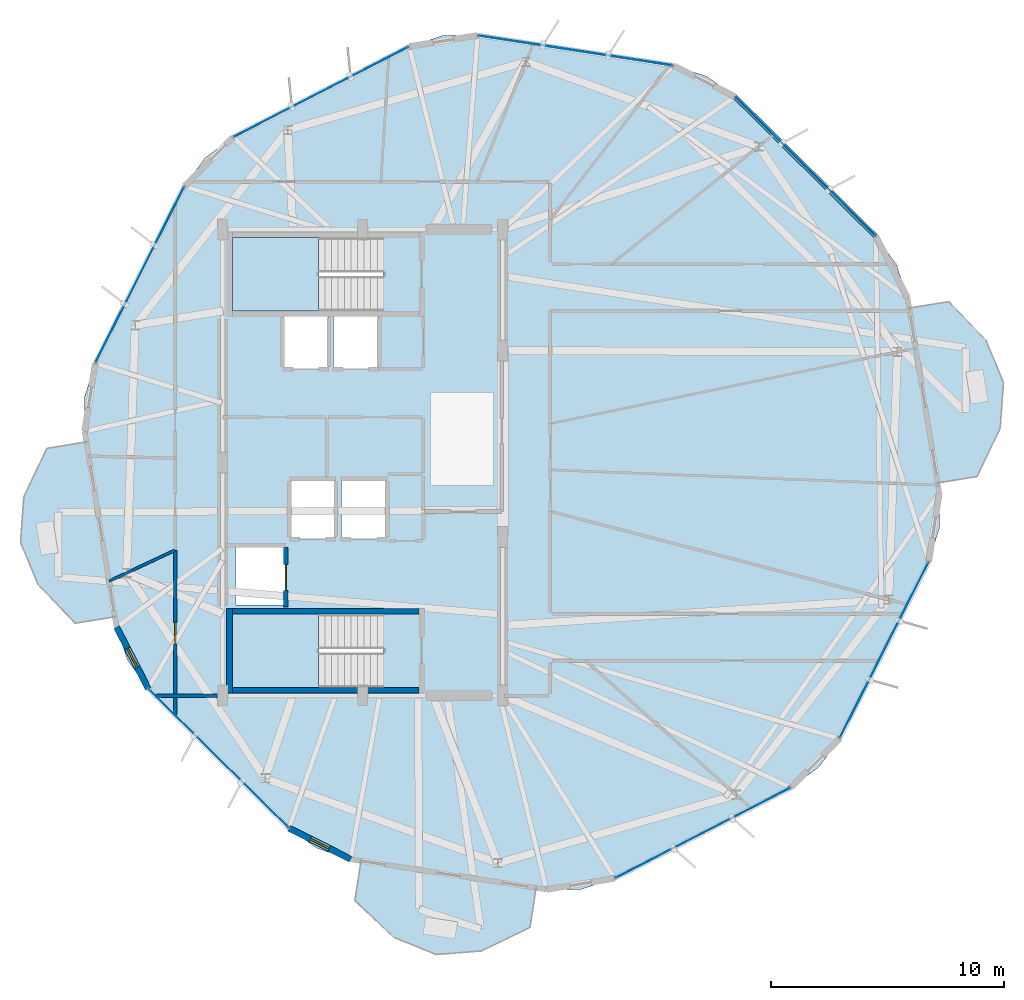
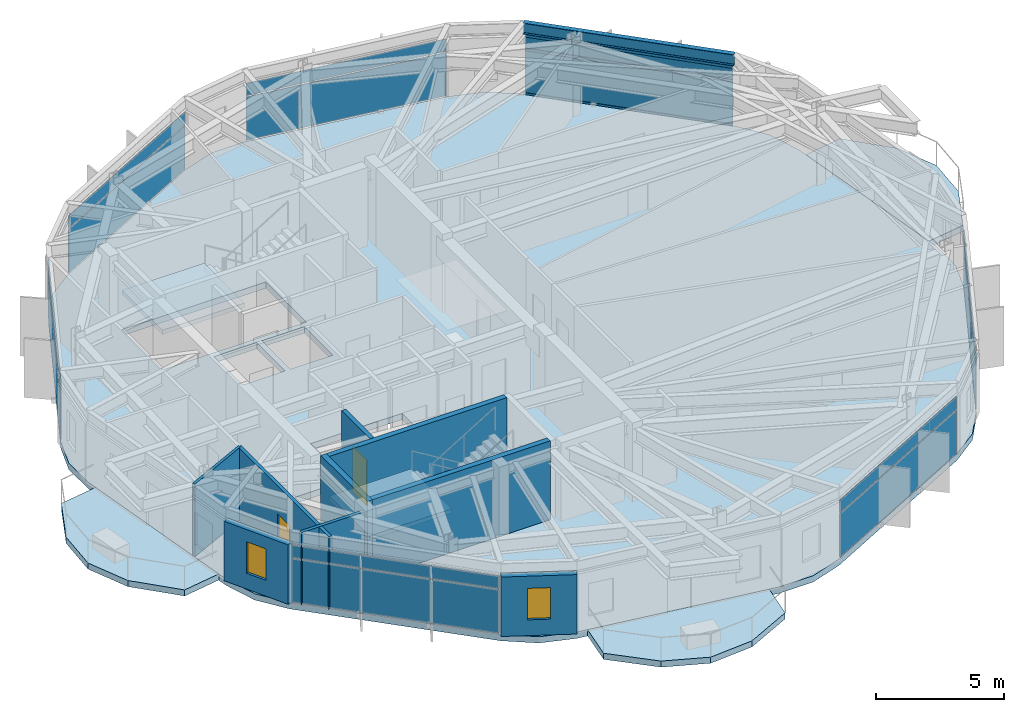
# One storey, part 16 of 22: 14 plates, 9 walls, 6 slabs, 3 members, 2 doors, 2 windows, 1 beam, 4 openings, 9 elements without a shape of their own.
"""IFC4 building model written with IfcOpenShell, lengths in metres."""

from ifc_helpers import new_model, si_unit, direction, frame, frame_2d, origin, origin_2d, place, context, subcontext, project, spatial, polyline, rectangle, hollow_rectangle, i_section, outline, extrude, material, layer, layer_set, material_profile, profile_set, type_object, element, fill, aggregate, save


model = new_model("IFC4")

# Units and contexts
model_context = context("Model", 3, precision=1e-05, world=origin(), true_north=direction((0.0, 1.0)))
body_context = subcontext(model_context, "Body", "Model", "MODEL_VIEW")
ifc_project = project(units=[si_unit("LENGTHUNIT", "METRE"), si_unit("AREAUNIT", "SQUARE_METRE"), si_unit("VOLUMEUNIT", "CUBIC_METRE"), si_unit("PLANEANGLEUNIT", "RADIAN"), si_unit("MASSUNIT", "GRAM", prefix="KILO")], contexts=[model_context])

# Site, building, storey
site_placement = place(None, origin())
site = spatial("IfcSite", under=ifc_project, at=site_placement, CompositionType="ELEMENT")
building_placement = place(site_placement, origin())
building = spatial("IfcBuilding", under=site, at=building_placement, Name="Soratama Intermodal Tower", CompositionType="ELEMENT")
storey_placement = place(building_placement, frame((0.0, 0.0, 265.0)))
storey = spatial("IfcBuildingStorey", under=building, at=storey_placement, Name="L67", CompositionType="ELEMENT", Elevation=265.0)

# Beam
ifc_material_1 = material(Name="Structural steel ASTM A992 Grade 50", Category="steel")
ifc_material_profile_1 = material_profile(ifc_material_1, i_section(OverallWidth=0.2099609375, OverallDepth=0.537109375, WebThickness=0.010986328125, FlangeThickness=0.017333984375, FilletRadius=0.012939453125, at=origin_2d()), Name="W21X68")
ifc_profile_set_1 = profile_set([ifc_material_profile_1], Name="Structural steel ASTM A992 Grade 50")
beam_type = type_object("IfcBeamType", Name="BM-SPN-W21X68", PredefinedType="SPANDREL", material=ifc_profile_set_1)
beam_placement = place(storey_placement, frame((60.60791015625, 34.702880859375, 3.181396484375), z_axis=(-0.710087532745, 0.704113411206, 0.0), x_axis=(-0.704113411206, -0.710087532745, 0.0)))
element("IfcBeam", 1, at=beam_placement, inside=storey, type_object=beam_type, Name="BS-L67-F10", PredefinedType="SPANDREL", context=body_context, shape_type="SweptSolid", body=[
    extrude(i_section(OverallWidth=0.2099609375, OverallDepth=0.537109375, WebThickness=0.010986328125, FlangeThickness=0.017333984375, FilletRadius=0.012939453125, at=origin_2d()), origin(), (0.0, 0.0, 1.0), 8.500244140625),
])

# Curtain wall, members
ifc_material_2 = material(Name="Double-glazed aluminium curtain wall", Category="aluminium")
ifc_layer_1 = layer(ifc_material_2, 0.159912109375)
ifc_layer_set_1 = layer_set([ifc_layer_1], Name="Double-glazed aluminium curtain wall")
curtain_wall_type = type_object("IfcCurtainWallType", Name="CW-SYS-5", PredefinedType="NOTDEFINED", material=ifc_layer_set_1)
curtain_wall_1_placement = place(storey_placement, origin())
curtain_wall_1 = element("IfcCurtainWall", 2, at=curtain_wall_1_placement, inside=storey, type_object=curtain_wall_type, Name="L67 Faceted Curtain Wall F10", PredefinedType="NOTDEFINED")
ifc_material_3 = material(Name="Anodised aluminium AA 6063-T6", Category="aluminium")
ifc_material_profile_2 = material_profile(ifc_material_3, hollow_rectangle(XDim=0.06005859375, YDim=0.1298828125, WallThickness=0.0048828125, InnerFilletRadius=0.0048828125, OuterFilletRadius=0.010009765625, at=origin_2d()), Name="CWT130X60X5")
ifc_profile_set_2 = profile_set([ifc_material_profile_2], Name="Anodised aluminium AA 6063-T6")
member_type = type_object("IfcMemberType", Name="TT-CWT-2", PredefinedType="USERDEFINED", material=ifc_profile_set_2)
member_1_placement = place(storey_placement, frame((60.56494140625, 34.74560546875, 0.030029296875), z_axis=(-0.710072281656, 0.704128791361, 0.0), x_axis=(-0.704128791361, -0.710072281656, 0.0)))
member_1 = element("IfcMember", 3, at=member_1_placement, type_object=member_type, Name="CW-5 transom 1.1", ObjectType="TRANSOM", PredefinedType="USERDEFINED", context=body_context, shape_type="SweptSolid", body=[
    extrude(hollow_rectangle(XDim=0.06005859375, YDim=0.1298828125, WallThickness=0.0048828125, InnerFilletRadius=0.0048828125, OuterFilletRadius=0.010009765625, at=origin_2d()), origin(), (0.0, 0.0, 1.0), 8.379638671875),
])
member_2_placement = place(storey_placement, frame((60.56494140625, 34.74560546875, 2.14990234375), z_axis=(-0.710072281656, 0.704128791361, 0.0), x_axis=(-0.704128791361, -0.710072281656, 0.0)))
member_2 = element("IfcMember", 4, at=member_2_placement, type_object=member_type, Name="CW-5 transom 1.2", ObjectType="TRANSOM", PredefinedType="USERDEFINED", context=body_context, shape_type="SweptSolid", body=[
    extrude(hollow_rectangle(XDim=0.06005859375, YDim=0.1298828125, WallThickness=0.0048828125, InnerFilletRadius=0.0048828125, OuterFilletRadius=0.010009765625, at=origin_2d()), origin(), (0.0, 0.0, 1.0), 8.379638671875),
])
member_3_placement = place(storey_placement, frame((60.56494140625, 34.74560546875, 2.799072265625), z_axis=(-0.710072281656, 0.704128791361, 0.0), x_axis=(-0.704128791361, -0.710072281656, 0.0)))
member_3 = element("IfcMember", 5, at=member_3_placement, type_object=member_type, Name="CW-5 transom 1.3", ObjectType="TRANSOM", PredefinedType="USERDEFINED", context=body_context, shape_type="SweptSolid", body=[
    extrude(hollow_rectangle(XDim=0.06005859375, YDim=0.1298828125, WallThickness=0.0048828125, InnerFilletRadius=0.0048828125, OuterFilletRadius=0.010009765625, at=origin_2d()), origin(), (0.0, 0.0, 1.0), 8.379638671875),
])

# Curtain wall, plates
curtain_wall_2_placement = place(storey_placement, origin())
curtain_wall_2 = element("IfcCurtainWall", 6, at=curtain_wall_2_placement, inside=storey, type_object=curtain_wall_type, Name="L67 Faceted Curtain Wall F01", PredefinedType="NOTDEFINED")
ifc_material_4 = material(Name="Low-E laminated double glazing", Category="glass")
ifc_layer_2 = layer(ifc_material_4, 0.02001953125)
ifc_layer_set_2 = layer_set([ifc_layer_2], Name="Low-E laminated double glazing")
plate_type = type_object("IfcPlateType", Name="PT-CWP-5", PredefinedType="CURTAIN_PANEL", material=ifc_layer_set_2)
plate_1_placement = place(storey_placement, frame((47.72314453125, 42.671142578125, 0.06005859375), z_axis=(0.0, 0.0, 1.0), x_axis=(-0.988334809762, 0.152296762317, 0.0)))
plate_1 = element("IfcPlate", 7, at=plate_1_placement, type_object=plate_type, Name="CW-5 panel 1.1", PredefinedType="CURTAIN_PANEL", context=body_context, shape_type="SweptSolid", body=[
    extrude(rectangle(XDim=8.3798828125, YDim=0.028076171875, at=origin_2d()), origin(), (0.0, 0.0, 1.0), 2.06005859375),
])
plate_2_placement = place(storey_placement, frame((47.72314453125, 42.671142578125, 2.18017578125), z_axis=(0.0, 0.0, 1.0), x_axis=(-0.988334809762, 0.152296762317, 0.0)))
plate_2 = element("IfcPlate", 8, at=plate_2_placement, type_object=plate_type, Name="CW-5 panel 1.2", PredefinedType="CURTAIN_PANEL", context=body_context, shape_type="SweptSolid", body=[
    extrude(rectangle(XDim=8.3798828125, YDim=0.028076171875, at=origin_2d()), origin(), (0.0, 0.0, 1.0), 0.589111328125),
])
aggregate(curtain_wall_2, [plate_1, plate_2])

curtain_wall_3_placement = place(storey_placement, origin())
curtain_wall_3 = element("IfcCurtainWall", 9, at=curtain_wall_3_placement, inside=storey, type_object=curtain_wall_type, Name="L67 Faceted Curtain Wall F02", PredefinedType="NOTDEFINED")
plate_3_placement = place(storey_placement, frame((36.816162109375, 40.89697265625, 0.06005859375), z_axis=(0.0, 0.0, 1.0), x_axis=(-0.889096734461, -0.457719342796, 0.0)))
plate_3 = element("IfcPlate", 10, at=plate_3_placement, type_object=plate_type, Name="CW-5 panel 1.1", PredefinedType="CURTAIN_PANEL", context=body_context, shape_type="SweptSolid", body=[
    extrude(rectangle(XDim=8.379638671875, YDim=0.028076171875, at=origin_2d()), origin(), (0.0, 0.0, 1.0), 2.06005859375),
])
plate_4_placement = place(storey_placement, frame((36.816162109375, 40.89697265625, 2.18017578125), z_axis=(0.0, 0.0, 1.0), x_axis=(-0.889096734461, -0.457719342796, 0.0)))
plate_4 = element("IfcPlate", 11, at=plate_4_placement, type_object=plate_type, Name="CW-5 panel 1.2", PredefinedType="CURTAIN_PANEL", context=body_context, shape_type="SweptSolid", body=[
    extrude(rectangle(XDim=8.379638671875, YDim=0.028076171875, at=origin_2d()), origin(), (0.0, 0.0, 1.0), 0.589111328125),
])
aggregate(curtain_wall_3, [plate_3, plate_4])

curtain_wall_4_placement = place(storey_placement, origin())
curtain_wall_4 = element("IfcCurtainWall", 12, at=curtain_wall_4_placement, inside=storey, type_object=curtain_wall_type, Name="L67 Faceted Curtain Wall F03", PredefinedType="NOTDEFINED")
plate_5_placement = place(storey_placement, frame((29.03515625, 33.050537109375, 0.06005859375), z_axis=(0.0, 0.0, 1.0), x_axis=(-0.450255769064, -0.892899626176, 0.0)))
plate_5 = element("IfcPlate", 13, at=plate_5_placement, type_object=plate_type, Name="CW-5 panel 1.1", PredefinedType="CURTAIN_PANEL", context=body_context, shape_type="SweptSolid", body=[
    extrude(rectangle(XDim=8.3798828125, YDim=0.028076171875, at=origin_2d()), origin(), (0.0, 0.0, 1.0), 2.06005859375),
])
plate_6_placement = place(storey_placement, frame((29.03515625, 33.050537109375, 2.18017578125), z_axis=(0.0, 0.0, 1.0), x_axis=(-0.450255769064, -0.892899626176, 0.0)))
plate_6 = element("IfcPlate", 14, at=plate_6_placement, type_object=plate_type, Name="CW-5 panel 1.2", PredefinedType="CURTAIN_PANEL", context=body_context, shape_type="SweptSolid", body=[
    extrude(rectangle(XDim=8.3798828125, YDim=0.028076171875, at=origin_2d()), origin(), (0.0, 0.0, 1.0), 0.589111328125),
])
aggregate(curtain_wall_4, [plate_5, plate_6])

curtain_wall_5_placement = place(storey_placement, origin())
curtain_wall_5 = element("IfcCurtainWall", 15, at=curtain_wall_5_placement, inside=storey, type_object=curtain_wall_type, Name="L67 Faceted Curtain Wall F05", PredefinedType="NOTDEFINED")
plate_7_placement = place(storey_placement, frame((32.41015625, 12.30419921875, 0.06005859375), z_axis=(0.0, 0.0, 1.0), x_axis=(0.710065347989, -0.704135783486, 0.0)))
plate_7 = element("IfcPlate", 16, at=plate_7_placement, type_object=plate_type, Name="CW-5 panel 1.1", PredefinedType="CURTAIN_PANEL", context=body_context, shape_type="SweptSolid", body=[
    extrude(rectangle(XDim=8.3798828125, YDim=0.028076171875, at=origin_2d()), origin(), (0.0, 0.0, 1.0), 2.06005859375),
])
plate_8_placement = place(storey_placement, frame((32.41015625, 12.30419921875, 2.18017578125), z_axis=(0.0, 0.0, 1.0), x_axis=(0.710065347989, -0.704135783486, 0.0)))
plate_8 = element("IfcPlate", 17, at=plate_8_placement, type_object=plate_type, Name="CW-5 panel 1.2", PredefinedType="CURTAIN_PANEL", context=body_context, shape_type="SweptSolid", body=[
    extrude(rectangle(XDim=8.3798828125, YDim=0.028076171875, at=origin_2d()), origin(), (0.0, 0.0, 1.0), 0.589111328125),
])
aggregate(curtain_wall_5, [plate_7, plate_8])

curtain_wall_6_placement = place(storey_placement, origin())
curtain_wall_6 = element("IfcCurtainWall", 18, at=curtain_wall_6_placement, inside=storey, type_object=curtain_wall_type, Name="L67 Faceted Curtain Wall F07", PredefinedType="NOTDEFINED")
plate_9_placement = place(storey_placement, frame((53.183837890625, 9.10302734375, 0.06005859375), z_axis=(0.0, 0.0, 1.0), x_axis=(0.889096734461, 0.457719342796, 0.0)))
plate_9 = element("IfcPlate", 19, at=plate_9_placement, type_object=plate_type, Name="CW-5 panel 1.1", PredefinedType="CURTAIN_PANEL", context=body_context, shape_type="SweptSolid", body=[
    extrude(rectangle(XDim=8.379638671875, YDim=0.028076171875, at=origin_2d()), origin(), (0.0, 0.0, 1.0), 2.06005859375),
])
plate_10_placement = place(storey_placement, frame((53.183837890625, 9.10302734375, 2.18017578125), z_axis=(0.0, 0.0, 1.0), x_axis=(0.889096734461, 0.457719342796, 0.0)))
plate_10 = element("IfcPlate", 20, at=plate_10_placement, type_object=plate_type, Name="CW-5 panel 1.2", PredefinedType="CURTAIN_PANEL", context=body_context, shape_type="SweptSolid", body=[
    extrude(rectangle(XDim=8.379638671875, YDim=0.028076171875, at=origin_2d()), origin(), (0.0, 0.0, 1.0), 0.589111328125),
])
aggregate(curtain_wall_6, [plate_9, plate_10])

curtain_wall_7_placement = place(storey_placement, origin())
curtain_wall_7 = element("IfcCurtainWall", 21, at=curtain_wall_7_placement, inside=storey, type_object=curtain_wall_type, Name="L67 Faceted Curtain Wall F08", PredefinedType="NOTDEFINED")
plate_11_placement = place(storey_placement, frame((60.96484375, 16.949462890625, 0.06005859375), z_axis=(0.0, 0.0, 1.0), x_axis=(0.450255769064, 0.892899626176, 0.0)))
plate_11 = element("IfcPlate", 22, at=plate_11_placement, type_object=plate_type, Name="CW-5 panel 1.1", PredefinedType="CURTAIN_PANEL", context=body_context, shape_type="SweptSolid", body=[
    extrude(rectangle(XDim=8.3798828125, YDim=0.028076171875, at=origin_2d()), origin(), (0.0, 0.0, 1.0), 2.06005859375),
])
plate_12_placement = place(storey_placement, frame((60.96484375, 16.949462890625, 2.18017578125), z_axis=(0.0, 0.0, 1.0), x_axis=(0.450255769064, 0.892899626176, 0.0)))
plate_12 = element("IfcPlate", 23, at=plate_12_placement, type_object=plate_type, Name="CW-5 panel 1.2", PredefinedType="CURTAIN_PANEL", context=body_context, shape_type="SweptSolid", body=[
    extrude(rectangle(XDim=8.3798828125, YDim=0.028076171875, at=origin_2d()), origin(), (0.0, 0.0, 1.0), 0.589111328125),
])
aggregate(curtain_wall_7, [plate_11, plate_12])

# Plate
plate_13_placement = place(storey_placement, frame((57.58984375, 37.69580078125, 0.06005859375), z_axis=(0.0, 0.0, 1.0), x_axis=(-0.710065347989, 0.704135783486, 0.0)))
plate_13 = element("IfcPlate", 24, at=plate_13_placement, type_object=plate_type, Name="CW-5 panel 1.1", PredefinedType="CURTAIN_PANEL", context=body_context, shape_type="SweptSolid", body=[
    extrude(rectangle(XDim=8.3798828125, YDim=0.028076171875, at=origin_2d()), origin(), (0.0, 0.0, 1.0), 2.06005859375),
])

plate_14_placement = place(storey_placement, frame((57.58984375, 37.69580078125, 2.18017578125), z_axis=(0.0, 0.0, 1.0), x_axis=(-0.710065347989, 0.704135783486, 0.0)))
plate_14 = element("IfcPlate", 25, at=plate_14_placement, type_object=plate_type, Name="CW-5 panel 1.2", PredefinedType="CURTAIN_PANEL", context=body_context, shape_type="SweptSolid", body=[
    extrude(rectangle(XDim=8.3798828125, YDim=0.028076171875, at=origin_2d()), origin(), (0.0, 0.0, 1.0), 0.589111328125),
])

aggregate(curtain_wall_1, [member_1, member_2, member_3, plate_13, plate_14])

# Slabs
ifc_material_5 = material(Name="Concrete f'c 42 MPa", Category="concrete")
ifc_layer_3 = layer(ifc_material_5, 0.2900390625)
ifc_layer_set_3 = layer_set([ifc_layer_3], Name="Concrete f'c 42 MPa")
slab_type_1 = type_object("IfcSlabType", Name="SL-EXT-BAL2", PredefinedType="FLOOR", material=ifc_layer_set_3)
slab_1_placement = place(storey_placement, frame((0.0, 0.0, -0.2900390625)))
element("IfcSlab", 26, at=slab_1_placement, inside=storey, type_object=slab_type_1, Name="L67 Planted Balcony East 1", PredefinedType="FLOOR", context=body_context, shape_type="SweptSolid", body=[
    extrude(outline(polyline([(63.258056640625, 24.120361328125), (62.037841796875, 31.62158203125), (63.7353515625, 31.897705078125), (65.33447265625, 30.23291015625), (66.082763671875, 28.4296875), (65.944580078125, 26.482421875), (64.955810546875, 24.396484375), (63.258056640625, 24.120361328125)])), origin(), (0.0, 0.0, 1.0), 0.2900390625),
])
slab_2_placement = place(storey_placement, frame((0.0, 0.0, -0.2900390625)))
element("IfcSlab", 27, at=slab_2_placement, inside=storey, type_object=slab_type_1, Name="L67 Planted Balcony West 2", PredefinedType="FLOOR", context=body_context, shape_type="SweptSolid", body=[
    extrude(outline(polyline([(26.741943359375, 25.879638671875), (27.962158203125, 18.37841796875), (26.2646484375, 18.102294921875), (24.66552734375, 19.76708984375), (23.917236328125, 21.5703125), (24.055419921875, 23.517578125), (25.044189453125, 25.603515625), (26.741943359375, 25.879638671875)])), origin(), (0.0, 0.0, 1.0), 0.2900390625),
])
slab_3_placement = place(storey_placement, frame((0.0, 0.0, -0.2900390625)))
element("IfcSlab", 28, at=slab_3_placement, inside=storey, type_object=slab_type_1, Name="L67 Planted Balcony South 3", PredefinedType="FLOOR", context=body_context, shape_type="SweptSolid", body=[
    extrude(outline(polyline([(38.521484375, 7.907470703125), (46.032470703125, 6.75), (45.7705078125, 5.050048828125), (43.693115234375, 4.043701171875), (41.7470703125, 3.889404296875), (39.9375, 4.62255859375), (38.259521484375, 6.20751953125), (38.521484375, 7.907470703125)])), origin(), (0.0, 0.0, 1.0), 0.2900390625),
])

# Stair, slab
ifc_material_6 = material(Name="Concrete f'c 42 MPa", Category="concrete")
stair_type = type_object("IfcStairType", Name="ST-CORE-DOGLEG", PredefinedType="HALF_TURN_STAIR", material=ifc_material_6)
stair_1_placement = place(storey_placement, origin())
stair_1 = element("IfcStair", 29, at=stair_1_placement, inside=storey, type_object=stair_type, Name="L67 ST-1", PredefinedType="HALF_TURN_STAIR")
ifc_material_7 = material(Name="Concrete f'c 42 MPa", Category="concrete")
ifc_layer_4 = layer(ifc_material_7, 0.219970703125)
ifc_layer_set_4 = layer_set([ifc_layer_4], Name="Concrete f'c 42 MPa")
slab_type_2 = type_object("IfcSlabType", Name="SL-STAIR-LAND", PredefinedType="LANDING", material=ifc_layer_set_4)
slab_4_placement = place(storey_placement, frame((0.0, 0.0, 1.675048828125)))
slab_4 = element("IfcSlab", 30, at=slab_4_placement, type_object=slab_type_2, Name="ST-1 landing 1", PredefinedType="LANDING", context=body_context, shape_type="SweptSolid", body=[
    extrude(outline(polyline([(36.699951171875, 18.5), (33.0, 18.5), (33.0, 15.35009765625), (36.699951171875, 15.35009765625), (36.699951171875, 18.5)])), origin(), (0.0, 0.0, 1.0), 0.199951171875),
])
aggregate(stair_1, [slab_4])

stair_2_placement = place(storey_placement, origin())
stair_2 = element("IfcStair", 31, at=stair_2_placement, inside=storey, type_object=stair_type, Name="L67 ST-2", PredefinedType="HALF_TURN_STAIR")
slab_5_placement = place(storey_placement, frame((0.0, 0.0, 1.675048828125)))
slab_5 = element("IfcSlab", 32, at=slab_5_placement, type_object=slab_type_2, Name="ST-2 landing 1", PredefinedType="LANDING", context=body_context, shape_type="SweptSolid", body=[
    extrude(outline(polyline([(36.699951171875, 34.64990234375), (33.0, 34.64990234375), (33.0, 31.5), (36.699951171875, 31.5), (36.699951171875, 34.64990234375)])), origin(), (0.0, 0.0, 1.0), 0.199951171875),
])
aggregate(stair_2, [slab_5])

# Slab
ifc_material_8 = material(Name="Concrete f'c 42 MPa", Category="concrete")
ifc_layer_5 = layer(ifc_material_8, 0.280029296875)
ifc_layer_set_5 = layer_set([ifc_layer_5], Name="Concrete f'c 42 MPa")
slab_type_3 = type_object("IfcSlabType", Name="SL-TWR-280", PredefinedType="FLOOR", material=ifc_layer_set_5)
slab_6_placement = place(storey_placement, frame((0.0, 0.0, -0.300048828125)))
element("IfcSlab", 33, at=slab_6_placement, inside=storey, type_object=slab_type_3, Name="L67 Structural Floor Slab", PredefinedType="FLOOR", context=body_context, shape_type="SweptSolid", body=[
    extrude(outline(polyline([(54.572265625, 40.688232421875), (53.353515625, 41.56591796875), (51.92333984375, 42.02392578125), (43.522705078125, 43.318603515625), (42.02099609375, 43.312255859375), (40.594482421875, 42.84228515625), (33.03759765625, 38.95166015625), (31.826171875, 38.06396484375), (30.948486328125, 36.84521484375), (27.12158203125, 29.255615234375), (26.663330078125, 27.825439453125), (26.669677734375, 26.32373046875), (28.034423828125, 17.934326171875), (28.504638671875, 16.508056640625), (29.392333984375, 15.296630859375), (35.427734375, 9.311767578125), (36.646484375, 8.43408203125), (38.07666015625, 7.97607421875), (46.477294921875, 6.681396484375), (47.97900390625, 6.687744140625), (49.405517578125, 7.15771484375), (56.96240234375, 11.04833984375), (58.173828125, 11.93603515625), (59.051513671875, 13.15478515625), (62.87841796875, 20.744384765625), (63.336669921875, 22.174560546875), (63.330322265625, 23.67626953125), (61.965576171875, 32.065673828125), (61.495361328125, 33.491943359375), (60.607666015625, 34.703369140625), (54.572265625, 40.688232421875)]), holes=[polyline([(33.0, 15.35009765625), (39.47509765625, 15.35009765625), (39.47509765625, 18.5), (33.0, 18.5), (33.0, 15.35009765625)]), polyline([(35.260009765625, 21.409912109375), (33.139892578125, 21.409912109375), (33.139892578125, 18.889892578125), (35.260009765625, 18.889892578125), (35.260009765625, 21.409912109375)]), polyline([(37.409912109375, 24.260009765625), (35.489990234375, 24.260009765625), (35.489990234375, 21.739990234375), (37.409912109375, 21.739990234375), (37.409912109375, 24.260009765625)]), polyline([(39.610107421875, 24.260009765625), (37.68994140625, 24.260009765625), (37.68994140625, 21.739990234375), (39.610107421875, 21.739990234375), (39.610107421875, 24.260009765625)]), polyline([(37.110107421875, 31.260009765625), (35.18994140625, 31.260009765625), (35.18994140625, 29.0400390625), (37.110107421875, 29.0400390625), (37.110107421875, 31.260009765625)]), polyline([(39.260009765625, 31.260009765625), (37.340087890625, 31.260009765625), (37.340087890625, 29.0400390625), (39.260009765625, 29.0400390625), (39.260009765625, 31.260009765625)]), polyline([(33.0, 34.64990234375), (33.0, 31.5), (39.47509765625, 31.5), (39.47509765625, 34.64990234375), (33.0, 34.64990234375)])]), origin(), (0.0, 0.0, 1.0), 0.300048828125),
])

# Wall, opening, window
ifc_material_9 = material(Name="Concrete f'c 42 MPa", Category="concrete")
ifc_layer_6 = layer(ifc_material_9, 0.27001953125)
ifc_layer_set_6 = layer_set([ifc_layer_6], Name="Concrete f'c 42 MPa")
wall_type_1 = type_object("IfcWallType", Name="EW-CRN-270", PredefinedType="SOLIDWALL", material=ifc_layer_set_6)
wall_1_placement = place(storey_placement, frame((28.034423828125, 17.934326171875, 0.0), z_axis=(0.0, 0.0, 1.0), x_axis=(0.457716142293, -0.889098382118, 0.0)))
wall_1 = element("IfcWall", 34, at=wall_1_placement, inside=storey, type_object=wall_type_1, Name="L67 Corner Closure Wall 04", PredefinedType="SOLIDWALL", context=body_context, shape_type="SweptSolid", body=[
    extrude(rectangle(XDim=2.966796875, YDim=0.27001953125, at=frame_2d((1.4833984375, 0.0))), origin(), (0.0, 0.0, 1.0), 2.8291015625),
])
opening_1_placement = place(wall_1_placement, frame((1.033203125, 0.0, 0.75)))
opening_1 = element("IfcOpeningElement", 35, at=opening_1_placement, cuts=wall_1, Name="Opening WN-6", PredefinedType="OPENING", context=body_context, shape_type="SweptSolid", body=[
    extrude(rectangle(XDim=0.89990234375, YDim=1.5, at=frame_2d((0.449951171875, 0.75))), frame((0.0, 0.14501953125, 0.0), z_axis=(0.0, -1.0, 0.0), x_axis=(1.0, 0.0, 0.0)), (0.0, 0.0, 1.0), 0.2900390625),
])
ifc_material_10 = material(Name="Double-glazed aluminium window", Category="aluminium")
window_type = type_object("IfcWindowType", Name="WN-FAC-900", PartitioningType="SINGLE_PANEL", PredefinedType="WINDOW", material=ifc_material_10)
window_1_placement = place(opening_1_placement, origin())
window_1 = element("IfcWindow", 36, at=window_1_placement, inside=storey, type_object=window_type, Name="L67 Corner Window 04", OverallHeight=1.5, OverallWidth=0.89990234375, PartitioningType="SINGLE_PANEL", PredefinedType="WINDOW", context=body_context, shape_type="SweptSolid", body=[
    extrude(rectangle(XDim=0.89990234375, YDim=1.5, at=frame_2d((0.449951171875, 0.75))), frame((0.0, 0.030029296875, 0.0), z_axis=(0.0, -1.0, 0.0), x_axis=(1.0, 0.0, 0.0)), (0.0, 0.0, 1.0), 0.06005859375),
])
fill(opening_1, window_1)

wall_2_placement = place(storey_placement, frame((35.427734375, 9.311767578125, 0.0), z_axis=(0.0, 0.0, 1.0), x_axis=(0.892907823858, -0.450239511919, 0.0)))
wall_2 = element("IfcWall", 37, at=wall_2_placement, inside=storey, type_object=wall_type_1, Name="L67 Corner Closure Wall 05", PredefinedType="SOLIDWALL", context=body_context, shape_type="SweptSolid", body=[
    extrude(rectangle(XDim=2.966552734375, YDim=0.27001953125, at=frame_2d((1.4833984375, 0.0))), origin(), (0.0, 0.0, 1.0), 2.8291015625),
])
opening_2_placement = place(wall_2_placement, frame((1.033203125, 0.0, 0.75)))
opening_2 = element("IfcOpeningElement", 38, at=opening_2_placement, cuts=wall_2, Name="Opening WN-6", PredefinedType="OPENING", context=body_context, shape_type="SweptSolid", body=[
    extrude(rectangle(XDim=0.89990234375, YDim=1.5, at=frame_2d((0.449951171875, 0.75))), frame((0.0, 0.14501953125, 0.0), z_axis=(0.0, -1.0, 0.0), x_axis=(1.0, 0.0, 0.0)), (0.0, 0.0, 1.0), 0.2900390625),
])
window_2_placement = place(opening_2_placement, origin())
window_2 = element("IfcWindow", 39, at=window_2_placement, inside=storey, type_object=window_type, Name="L67 Corner Window 05", OverallHeight=1.5, OverallWidth=0.89990234375, PartitioningType="SINGLE_PANEL", PredefinedType="WINDOW", context=body_context, shape_type="SweptSolid", body=[
    extrude(rectangle(XDim=0.89990234375, YDim=1.5, at=frame_2d((0.449951171875, 0.75))), frame((0.0, 0.030029296875, 0.0), z_axis=(0.0, -1.0, 0.0), x_axis=(1.0, 0.0, 0.0)), (0.0, 0.0, 1.0), 0.06005859375),
])
fill(opening_2, window_2)

# Wall, opening, door
ifc_material_11 = material(Name="Fire-rated gypsum stud partition", Category="concrete")
ifc_layer_7 = layer(ifc_material_11, 0.14990234375)
ifc_layer_set_7 = layer_set([ifc_layer_7], Name="Fire-rated gypsum stud partition")
wall_type_2 = type_object("IfcWallType", Name="IW-PART-R150", PredefinedType="PARTITIONING", material=ifc_layer_set_7)
wall_3_placement = place(storey_placement, frame((30.550048828125, 14.14892578125, 0.0), z_axis=(0.0, 0.0, 1.0), x_axis=(0.0, 1.0, 0.0)))
wall_3 = element("IfcWall", 40, at=wall_3_placement, inside=storey, type_object=wall_type_2, Name="L67 Partition W-L67-TP013", PredefinedType="PARTITIONING", context=body_context, shape_type="SweptSolid", body=[
    extrude(rectangle(XDim=7.0849609375, YDim=0.14990234375, at=frame_2d((3.54248046875, 0.0))), origin(), (0.0, 0.0, 1.0), 3.449951171875),
])
opening_3_placement = place(wall_3_placement, frame((3.068115234375, 0.0, 0.0)))
opening_3 = element("IfcOpeningElement", 41, at=opening_3_placement, cuts=wall_3, Name="Opening ID-6", PredefinedType="OPENING", context=body_context, shape_type="SweptSolid", body=[
    extrude(rectangle(XDim=0.919921875, YDim=2.1201171875, at=frame_2d((0.4599609375, 1.06005859375))), frame((0.0, 0.0849609375, 0.0), z_axis=(0.0, -1.0, 0.0), x_axis=(1.0, 0.0, 0.0)), (0.0, 0.0, 1.0), 0.169921875),
])
ifc_material_12 = material(Name="Solid hardwood acoustic door", Category="wood")
door_type_1 = type_object("IfcDoorType", Name="DR-ROOM-920", OperationType="NOTDEFINED", PredefinedType="DOOR", material=ifc_material_12)
door_1_placement = place(opening_3_placement, origin())
door_1 = element("IfcDoor", 42, at=door_1_placement, inside=storey, type_object=door_type_1, Name="L67 Door D-L67-TP007", OperationType="SINGLE_SWING_RIGHT", OverallHeight=2.1201171875, OverallWidth=0.919921875, PredefinedType="DOOR", context=body_context, shape_type="SweptSolid", body=[
    extrude(rectangle(XDim=0.919921875, YDim=2.1201171875, at=frame_2d((0.4599609375, 1.06005859375))), frame((0.0, 0.02490234375, 0.0), z_axis=(0.0, -1.0, 0.0), x_axis=(1.0, 0.0, 0.0)), (0.0, 0.0, 1.0), 0.050048828125),
])
fill(opening_3, door_1)

# Walls
wall_4_placement = place(storey_placement, frame((32.530029296875, 15.0, 0.0), z_axis=(0.0, 0.0, 1.0), x_axis=(-1.0, 0.0, 0.0)))
element("IfcWall", 43, at=wall_4_placement, inside=storey, type_object=wall_type_2, Name="L67 Partition W-L67-TP027", PredefinedType="PARTITIONING", context=body_context, shape_type="SweptSolid", body=[
    extrude(rectangle(XDim=2.838134765625, YDim=0.14990234375, at=frame_2d((1.4189453125, 0.0))), origin(), (0.0, 0.0, 1.0), 3.449951171875),
])
ifc_material_13 = material(Name="Fire-rated gypsum stud partition", Category="concrete")
ifc_layer_8 = layer(ifc_material_13, 0.1201171875)
ifc_layer_set_8 = layer_set([ifc_layer_8], Name="Fire-rated gypsum stud partition")
wall_type_3 = type_object("IfcWallType", Name="IW-PART-S120", PredefinedType="PARTITIONING", material=ifc_layer_set_8)
wall_5_placement = place(storey_placement, frame((30.550048828125, 21.23388671875, 0.0), z_axis=(0.0, 0.0, 1.0), x_axis=(-0.905758374269, -0.423794487272, 0.0)))
element("IfcWall", 44, at=wall_5_placement, inside=storey, type_object=wall_type_3, Name="L67 Partition W-L67-TP025", PredefinedType="PARTITIONING", context=body_context, shape_type="SweptSolid", body=[
    extrude(rectangle(XDim=3.131103515625, YDim=0.1201171875, at=frame_2d((1.5654296875, 0.0))), origin(), (0.0, 0.0, 1.0), 3.449951171875),
])

# Wall, opening, door
ifc_material_14 = material(Name="Concrete f'c 42 MPa", Category="concrete")
ifc_layer_9 = layer(ifc_material_14, 0.18505859375)
ifc_layer_set_9 = layer_set([ifc_layer_9], Name="Concrete f'c 42 MPa")
wall_type_4 = type_object("IfcWallType", Name="IW-SHAFT-185", PredefinedType="SOLIDWALL", material=ifc_layer_set_9)
wall_6_placement = place(storey_placement, frame((35.300048828125, 18.7900390625, 0.0), z_axis=(0.0, 0.0, 1.0), x_axis=(0.0, 1.0, 0.0)))
wall_6 = element("IfcWall", 45, at=wall_6_placement, inside=storey, type_object=wall_type_4, Name="L67 SVL-1 Hoistway Wall E", PredefinedType="SOLIDWALL", context=body_context, shape_type="SweptSolid", body=[
    extrude(rectangle(XDim=2.550048828125, YDim=0.18505859375, at=frame_2d((1.27490234375, 0.0))), origin(), (0.0, 0.0, 1.0), 3.449951171875),
])
opening_4_placement = place(wall_6_placement, frame((0.72509765625, 0.0, 0.0)))
opening_4 = element("IfcOpeningElement", 46, at=opening_4_placement, cuts=wall_6, Name="Opening LD-1", PredefinedType="OPENING", context=body_context, shape_type="SweptSolid", body=[
    extrude(rectangle(XDim=1.10009765625, YDim=2.14990234375, at=frame_2d((0.550048828125, 1.074951171875))), frame((0.0, 0.1025390625, 0.0), z_axis=(0.0, -1.0, 0.0), x_axis=(1.0, 0.0, 0.0)), (0.0, 0.0, 1.0), 0.205078125),
])
ifc_material_15 = material(Name="Steel fire door", Category="steel")
door_type_2 = type_object("IfcDoorType", Name="DR-LIFT-SLIDE", OperationType="NOTDEFINED", PredefinedType="DOOR", material=ifc_material_15)
door_2_placement = place(opening_4_placement, origin())
door_2 = element("IfcDoor", 47, at=door_2_placement, inside=storey, type_object=door_type_2, Name="L67 SVL-1 Sliding Landing Door", OperationType="SLIDING_TO_LEFT", OverallHeight=2.14990234375, OverallWidth=1.10009765625, PredefinedType="DOOR", context=body_context, shape_type="SweptSolid", body=[
    extrude(rectangle(XDim=1.10009765625, YDim=2.14990234375, at=frame_2d((0.550048828125, 1.074951171875))), frame((0.0, 0.02490234375, 0.0), z_axis=(0.0, -1.0, 0.0), x_axis=(1.0, 0.0, 0.0)), (0.0, 0.0, 1.0), 0.050048828125),
])
fill(opening_4, door_2)

# Walls
ifc_material_16 = material(Name="Concrete f'c 56 MPa", Category="concrete")
ifc_layer_10 = layer(ifc_material_16, 0.239990234375)
ifc_layer_set_10 = layer_set([ifc_layer_10], Name="Concrete f'c 56 MPa")
wall_type_5 = type_object("IfcWallType", Name="SW-STAIR-240", PredefinedType="SHEAR", material=ifc_layer_set_10)
wall_7_placement = place(storey_placement, frame((32.8798828125, 15.110107421875, 0.0), z_axis=(0.0, 0.0, 1.0), x_axis=(0.0, 1.0, 0.0)))
element("IfcWall", 48, at=wall_7_placement, inside=storey, type_object=wall_type_5, Name="L67 ST-1 Shaft Shear Wall W", PredefinedType="SHEAR", context=body_context, shape_type="SweptSolid", body=[
    extrude(rectangle(XDim=3.6298828125, YDim=0.239990234375, at=frame_2d((1.81494140625, 0.0))), origin(), (0.0, 0.0, 1.0), 3.75),
])
for number, where, z_axis, x_axis, name in (
    (49, (33.0, 15.22998046875, 0.0), (0.0, 0.0, 1.0), (1.0, 0.0, 0.0), "L67 ST-1 Shaft Shear Wall S"),
    (50, (33.0, 18.6201171875, 0.0), (0.0, 0.0, 1.0), (1.0, 0.0, 0.0), "L67 ST-1 Shaft Shear Wall N"),
):
    element("IfcWall", number, at=place(storey_placement, frame(where, z_axis=z_axis, x_axis=x_axis)), inside=storey, type_object=wall_type_5, Name=name, PredefinedType="SHEAR", context=body_context, shape_type="SweptSolid", body=[
        extrude(rectangle(XDim=8.0, YDim=0.239990234375, at=frame_2d((4.0, 0.0))), origin(), (0.0, 0.0, 1.0), 3.75),
    ])

save(model, "model.ifc")
